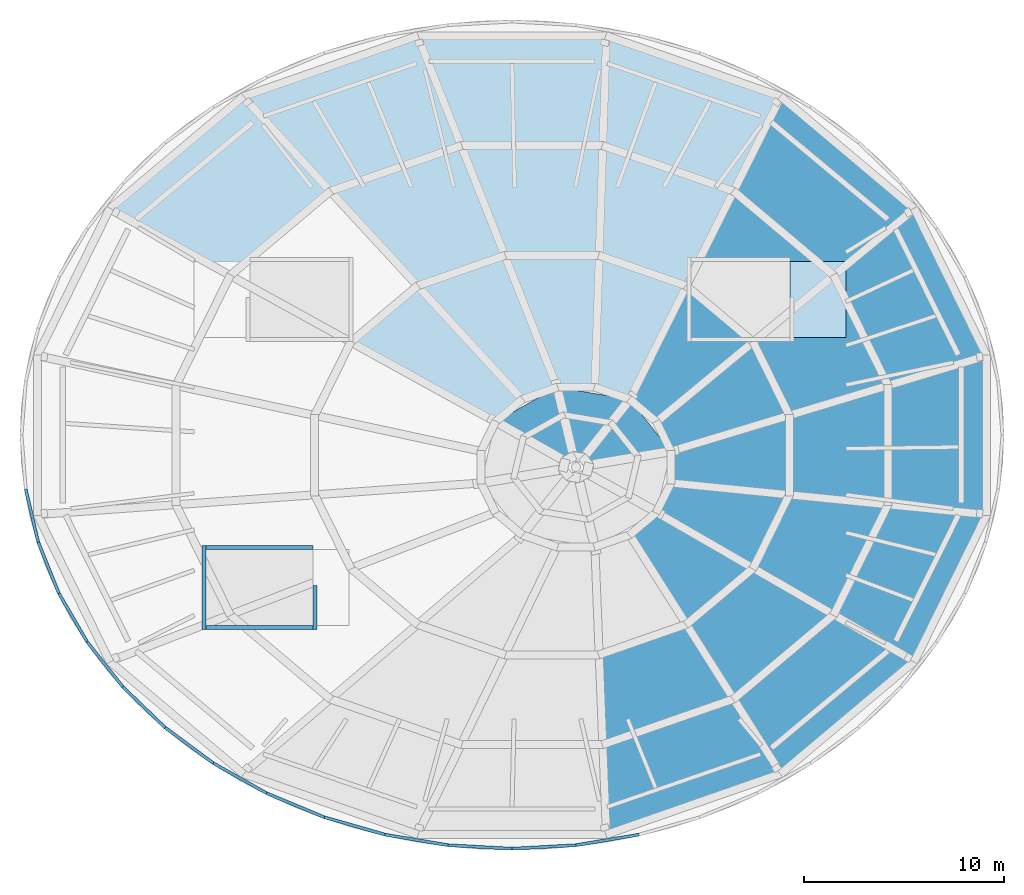
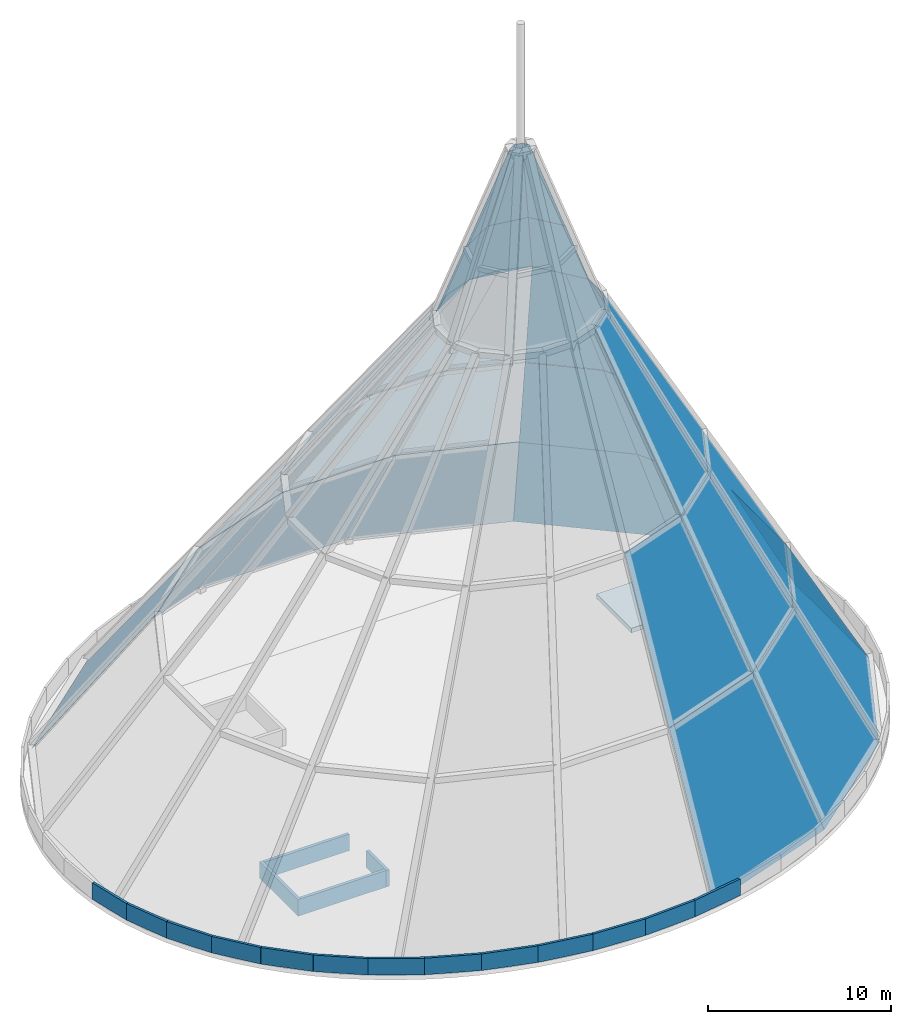
# One storey, part 5 of 7: 34 plates, 17 walls, 1 slab, 13 elements without a shape of their own.
"""IFC4 building model written with IfcOpenShell, lengths in metres."""

import ifcopenshell
import ifcopenshell.guid

model = None  # the IFC model being written
_history = None  # IfcOwnerHistory: only IFC2X3 demands one
_inside = {}  # id of a spatial element -> (the spatial element, [elements in it])
_under = {}  # id of a project, library or spatial element -> (it, [spatial elements below it])
_declared = {}  # id of a project -> (the project, [libraries it declares])
_typed = {}  # id of a type object -> (the type object, [elements of that type])
_made_of = {}  # id of a material, layer set ... -> (it, [elements and type objects made of it])


def new_model(schema):
    """Start an empty IFC model of exactly this schema.

    Asked for "IFC4X3", IfcOpenShell would pick the latest addendum, in which some entities
    have other attributes; the version numbers below select the first issue.
    IFC2X3 requires an IfcOwnerHistory on every rooted entity: one is made here for all.
    """
    global model, _history
    if schema == "IFC4X3":
        model = ifcopenshell.file(schema_version=(4, 3, 0, 0))
    else:
        model = ifcopenshell.file(schema=schema)
    _inside.clear()
    _under.clear()
    _declared.clear()
    _typed.clear()
    _made_of.clear()
    _history = None
    if model.schema == "IFC2X3":
        org = make("IfcOrganization", Name="unknown")
        user = make(
            "IfcPersonAndOrganization",
            ThePerson=make("IfcPerson", FamilyName="unknown"),
            TheOrganization=org,
        )
        app = make(
            "IfcApplication",
            ApplicationDeveloper=org,
            Version="unknown",
            ApplicationFullName="unknown",
            ApplicationIdentifier="unknown",
        )
        _history = make(
            "IfcOwnerHistory",
            OwningUser=user,
            OwningApplication=app,
            ChangeAction="ADDED",
            CreationDate=0,
        )
    return model


def make(cls, **values):
    """One entity of the class cls with the attributes given. An attribute that is None is left unset."""
    return model.create_entity(
        cls, **{name: value for name, value in values.items() if value is not None}
    )


def rooted(cls, **values):
    """An entity with a GlobalId (a new one), such as an element, a storey or a relation."""
    return make(cls, GlobalId=ifcopenshell.guid.new(), OwnerHistory=_history, **values)


def si_unit(unit_type, name, prefix=None):
    """IfcSIUnit, for example si_unit("LENGTHUNIT", "METRE", prefix="MILLI")."""
    return make("IfcSIUnit", UnitType=unit_type, Prefix=prefix, Name=name)


def assignment(units):
    """IfcUnitAssignment: the units of a project."""
    return None if units is None else make("IfcUnitAssignment", Units=units)


def point(xyz):
    """IfcCartesianPoint."""
    return None if xyz is None else make("IfcCartesianPoint", Coordinates=xyz)


def direction(xyz):
    """IfcDirection."""
    return None if xyz is None else make("IfcDirection", DirectionRatios=xyz)


def frame(location, z_axis=None, x_axis=None):
    """IfcAxis2Placement3D, a coordinate frame: its origin and axes. An axis left out is left unset."""
    return make(
        "IfcAxis2Placement3D",
        Location=point(location),
        Axis=direction(z_axis),
        RefDirection=direction(x_axis),
    )


def frame_2d(location, x_axis=None):
    """IfcAxis2Placement2D, a coordinate frame in the plane: its origin and x axis."""
    return make(
        "IfcAxis2Placement2D", Location=point(location), RefDirection=direction(x_axis)
    )


def origin():
    """The frame at (0, 0, 0) with its axes left unset."""
    return frame((0.0, 0.0, 0.0))


def place(relative_to, where):
    """IfcLocalPlacement: puts the frame where relative to a parent placement (None: the world)."""
    return make(
        "IfcLocalPlacement", PlacementRelTo=relative_to, RelativePlacement=where
    )


def context(
    kind, dimensions, precision=None, world=None, true_north=None, identifier=None
):
    """IfcGeometricRepresentationContext, for example the 3D "Model" context."""
    return make(
        "IfcGeometricRepresentationContext",
        ContextIdentifier=identifier,
        ContextType=kind,
        CoordinateSpaceDimension=dimensions,
        Precision=precision,
        WorldCoordinateSystem=world,
        TrueNorth=true_north,
    )


def subcontext(parent, identifier, kind, view, scale=None):
    """IfcGeometricRepresentationSubContext, for example "Body" below "Model"."""
    return make(
        "IfcGeometricRepresentationSubContext",
        ContextIdentifier=identifier,
        ContextType=kind,
        ParentContext=parent,
        TargetScale=scale,
        TargetView=view,
    )


def project(units=None, contexts=None):
    """IfcProject with its units and contexts."""
    return rooted(
        "IfcProject",
        Name="project",
        RepresentationContexts=contexts,
        UnitsInContext=assignment(units),
    )


def spatial(cls, under=None, at=None, **own):
    """A site, building, storey or space (cls), placed at a placement, below another one or the project."""
    s = rooted(cls, ObjectPlacement=at, **own)
    if under is not None:
        _under.setdefault(under.id(), (under, []))[1].append(s)
    return s


def polyline(points):
    """IfcPolyline through the points."""
    return make("IfcPolyline", Points=[point(p) for p in points])


def profile(cls, at=None, kind="AREA", **sizes):
    """A parametric profile (cls). Its sizes go by their IFC names, for example OverallWidth=200.0."""
    return make(cls, ProfileType=kind, Position=at, **sizes)


def rectangle(**sizes):
    """IfcRectangleProfileDef."""
    return profile("IfcRectangleProfileDef", **sizes)


def outline(outer, holes=None, kind="AREA"):
    """IfcArbitraryClosedProfileDef: a profile drawn as a closed curve; with holes, ...WithVoids."""
    if holes is None:
        return make("IfcArbitraryClosedProfileDef", ProfileType=kind, OuterCurve=outer)
    return make(
        "IfcArbitraryProfileDefWithVoids",
        ProfileType=kind,
        OuterCurve=outer,
        InnerCurves=holes,
    )


def extrude(swept, where, along, depth):
    """IfcExtrudedAreaSolid: the profile swept, set in the frame where, extruded along a direction by depth."""
    return make(
        "IfcExtrudedAreaSolid",
        SweptArea=swept,
        Position=where,
        ExtrudedDirection=direction(along),
        Depth=depth,
    )


def shape(context_of_items, identifier, shape_type, items):
    """IfcShapeRepresentation: the items that make up one representation, for example the "Body"."""
    return make(
        "IfcShapeRepresentation",
        ContextOfItems=context_of_items,
        RepresentationIdentifier=identifier,
        RepresentationType=shape_type,
        Items=items,
    )


def material(Name=None, Category=None):
    """IfcMaterial."""
    return make("IfcMaterial", Name=Name, Category=Category)


def layer(
    of_material, thickness, ventilated=None, Name=None, Category=None, Priority=None
):
    """IfcMaterialLayer: one layer of a wall or slab, of a material (None: an air gap)."""
    return make(
        "IfcMaterialLayer",
        Material=of_material,
        LayerThickness=thickness,
        IsVentilated=ventilated,
        Name=Name,
        Category=Category,
        Priority=Priority,
    )


def layer_set(layers, Name=None):
    """IfcMaterialLayerSet."""
    return make("IfcMaterialLayerSet", MaterialLayers=layers, LayerSetName=Name)


def made_of(thing, what):
    """Note that an element or type object is made of a material, layer set ...; save() writes the relation."""
    if what is not None:
        _made_of.setdefault(what.id(), (what, []))[1].append(thing)
    return thing


def type_object(cls, material=None, **own):
    """A type object (cls), such as IfcWallType, which elements share."""
    return made_of(rooted(cls, **own), material)


def element(
    cls,
    number,
    at=None,
    inside=None,
    cuts=None,
    type_object=None,
    material=None,
    context=None,
    identifier="Body",
    shape_type=None,
    held_by="IfcProductDefinitionShape",
    body=None,
    shapes=None,
    **own,
):
    """One element of the class cls, such as IfcWall. Its Tag is "e" and its number.

    at: its placement. inside: the storey or other place that contains it. cuts: it is an
    opening in that element (IfcRelVoidsElement). A single representation is given by context,
    identifier, shape_type and body (its items); several are given by shapes. held_by: the class
    of the entity that holds the representations. save() writes the other relations.
    """
    e = rooted(cls, Tag="e%d" % number, ObjectPlacement=at, **own)
    if body is not None:
        shapes = [shape(context, identifier, shape_type, body)]
    if shapes is not None:
        e.Representation = make(held_by, Representations=shapes)
    if inside is not None:
        _inside.setdefault(inside.id(), (inside, []))[1].append(e)
    if cuts is not None:
        rooted(
            "IfcRelVoidsElement", RelatingBuildingElement=cuts, RelatedOpeningElement=e
        )
    if type_object is not None:
        _typed.setdefault(type_object.id(), (type_object, []))[1].append(e)
    return made_of(e, material)


def aggregate(whole, parts):
    """IfcRelAggregates: a whole, such as a stair, and the parts it consists of."""
    return rooted("IfcRelAggregates", RelatingObject=whole, RelatedObjects=parts)


def save(model, path):
    """Write the relations noted so far, then the file.

    IfcRelAggregates (storeys below a building ...), IfcRelContainedInSpatialStructure (elements
    in a storey), IfcRelDefinesByType, IfcRelAssociatesMaterial and IfcRelDeclares: one each for
    every whole, place, type object, material and project.
    """
    for whole, parts in _under.values():
        aggregate(whole, parts)
    for where, things in _inside.values():
        rooted(
            "IfcRelContainedInSpatialStructure",
            RelatedElements=things,
            RelatingStructure=where,
        )
    for kind, things in _typed.values():
        rooted("IfcRelDefinesByType", RelatedObjects=things, RelatingType=kind)
    for what, things in _made_of.values():
        rooted("IfcRelAssociatesMaterial", RelatedObjects=things, RelatingMaterial=what)
    for by, libraries in _declared.values():
        rooted("IfcRelDeclares", RelatingContext=by, RelatedDefinitions=libraries)
    model.write(path)


model = new_model("IFC4")

# Units and contexts
model_context = context("Model", 3, precision=1e-05, world=origin(), true_north=direction((0.0, 1.0)))
body_context = subcontext(model_context, "Body", "Model", "MODEL_VIEW")
ifc_project = project(units=[si_unit("LENGTHUNIT", "METRE"), si_unit("AREAUNIT", "SQUARE_METRE"), si_unit("VOLUMEUNIT", "CUBIC_METRE"), si_unit("PLANEANGLEUNIT", "RADIAN"), si_unit("MASSUNIT", "GRAM", prefix="KILO")], contexts=[model_context])

# Site, building, storey
site_placement = place(None, origin())
site = spatial("IfcSite", under=ifc_project, at=site_placement, CompositionType="ELEMENT")
building_placement = place(site_placement, origin())
building = spatial("IfcBuilding", under=site, at=building_placement, Name="Marenthal Gate Tower", CompositionType="ELEMENT")
storey_placement = place(building_placement, frame((0.0, 0.0, 423.550048828125)))
storey = spatial("IfcBuildingStorey", under=building, at=storey_placement, Name="RF", CompositionType="ELEMENT", Elevation=423.550048828125)

# Slab
ifc_material_1 = material(Name="Concrete 50 MPa", Category="concrete")
ifc_layer_1 = layer(ifc_material_1, 0.300048828125)
ifc_layer_set_1 = layer_set([ifc_layer_1], Name="Core roof slab 300")
slab_type = type_object("IfcSlabType", Name="Core roof slab 300", PredefinedType="ROOF", material=ifc_layer_set_1)
slab_placement = place(storey_placement, frame((0.0, 0.0, -0.300048828125)))
element("IfcSlab", 1, at=slab_placement, inside=storey, type_object=slab_type, Name="Core roof RF", PredefinedType="ROOF", context=body_context, shape_type="SweptSolid", body=[
    extrude(outline(polyline([(16.300048828125, 5.77490234375), (13.5, 5.77490234375), (13.5, 9.574951171875), (16.300048828125, 9.574951171875), (16.300048828125, 5.77490234375)])), origin(), (0.0, 0.0, 1.0), 0.300048828125),
])

# Curtain wall, plates
ifc_material_2 = material(Name="Aluminium and glass", Category="aluminium")
curtain_wall_type = type_object("IfcCurtainWallType", Name="Curtain wall crown facet", PredefinedType="NOTDEFINED", material=ifc_material_2)
curtain_wall_1_placement = place(storey_placement, origin())
curtain_wall_1 = element("IfcCurtainWall", 2, at=curtain_wall_1_placement, inside=storey, type_object=curtain_wall_type, Name="Crown facet 1", PredefinedType="NOTDEFINED")
ifc_material_3 = material(Name="Glass, laminated insulating unit", Category="glass")
ifc_layer_2 = layer(ifc_material_3, 0.028076171875)
ifc_layer_set_2 = layer_set([ifc_layer_2], Name="Glass facet panel 28")
plate_type = type_object("IfcPlateType", Name="Glass facet panel 28", PredefinedType="CURTAIN_PANEL", material=ifc_layer_set_2)
plate_1_placement = place(storey_placement, frame((23.349609375, 4.873779296875, 0.0), z_axis=(0.78091832191, 0.384561210451, 0.492218701312), x_axis=(-0.441782847296, 0.897122018356, -4.082621e-06)))
plate_1 = element("IfcPlate", 3, at=plate_1_placement, type_object=plate_type, Name="Crown glass panel 1.1", PredefinedType="CURTAIN_PANEL", context=body_context, shape_type="SweptSolid", body=[
    extrude(outline(polyline([(0.0, 0.0), (8.184508952758184, 0.0), (6.979769713529006, 10.339256134697063), (0.8413888263727068, 10.339188958537347), (0.0, 0.0)])), origin(), (0.0, 0.0, -1.0), 0.028076171875),
])
plate_2_placement = place(storey_placement, frame((18.38720703125, 3.3681640625, 8.984130859375), z_axis=(0.78092526566, 0.384542440759, 0.492222348852), x_axis=(-0.441764378922, 0.897131112779, -4.6361e-08)))
plate_2 = element("IfcPlate", 4, at=plate_2_placement, type_object=plate_type, Name="Crown glass panel 1.2", PredefinedType="CURTAIN_PANEL", context=body_context, shape_type="SweptSolid", body=[
    extrude(outline(polyline([(0.0, 0.0), (6.138273031378023, -2.220446049250313e-16), (4.933465351026674, 10.339248159870419), (0.8411013617970815, 10.339247614991404), (0.0, 0.0)])), origin(), (0.0, 0.0, -1.0), 0.028076171875),
])
plate_3_placement = place(storey_placement, frame((13.474853515625, 1.886962890625, 18.0), z_axis=(0.780917875643, 0.384560878624, 0.492219668576), x_axis=(-0.441785633161, 0.897120646474, 1.6133e-06)))
plate_3 = element("IfcPlate", 5, at=plate_3_placement, type_object=plate_type, Name="Crown glass panel 1.3", PredefinedType="CURTAIN_PANEL", context=body_context, shape_type="SweptSolid", body=[
    extrude(outline(polyline([(0.0, 0.0), (4.092144964498725, 0.0), (2.6465605911346537, 12.407127063055857), (1.0096588006160983, 12.407137681065514), (0.0, 0.0)])), origin(), (0.0, 0.0, -1.0), 0.028076171875),
])
aggregate(curtain_wall_1, [plate_1, plate_2, plate_3])

curtain_wall_2_placement = place(storey_placement, origin())
curtain_wall_2 = element("IfcCurtainWall", 6, at=curtain_wall_2_placement, inside=storey, type_object=curtain_wall_type, Name="Crown facet 2", PredefinedType="NOTDEFINED")
plate_4_placement = place(storey_placement, frame((19.73388671875, 12.21630859375, 0.0), z_axis=(0.558880465165, 0.664391125681, 0.496222790462), x_axis=(-0.765256189398, 0.643725845826, 2.006685e-06)))
plate_4 = element("IfcPlate", 7, at=plate_4_placement, type_object=plate_type, Name="Crown glass panel 2.1", PredefinedType="CURTAIN_PANEL", context=body_context, shape_type="SweptSolid", body=[
    extrude(outline(polyline([(0.0, 0.0), (8.730263883773995, 0.0), (7.4911283259670505, 10.366314795630224), (0.9436098256374091, 10.36635010761897), (0.0, 0.0)])), origin(), (0.0, 0.0, -1.0), 0.028076171875),
])
plate_5_placement = place(storey_placement, frame((15.6826171875, 8.865966796875, 8.984130859375), z_axis=(0.558873390874, 0.664397792508, 0.496221831728), x_axis=(-0.765263695262, 0.643716922805, 2.849073e-06)))
plate_5 = element("IfcPlate", 8, at=plate_5_placement, type_object=plate_type, Name="Crown glass panel 2.2", PredefinedType="CURTAIN_PANEL", context=body_context, shape_type="SweptSolid", body=[
    extrude(outline(polyline([(0.0, 0.0), (6.547705331266295, 0.0), (5.308981323744895, 10.366308145349338), (0.943677387280511, 10.366343957506903), (0.0, 0.0)])), origin(), (0.0, 0.0, -1.0), 0.028076171875),
])
plate_6_placement = place(storey_placement, frame((11.6669921875, 5.55810546875, 18.0), z_axis=(0.558899951735, 0.664374368591, 0.496223278686), x_axis=(-0.765235580648, 0.643750344548, -2.215937e-06)))
plate_6 = element("IfcPlate", 9, at=plate_6_placement, type_object=plate_type, Name="Crown glass panel 2.3", PredefinedType="CURTAIN_PANEL", context=body_context, shape_type="SweptSolid", body=[
    extrude(outline(polyline([(0.0, 0.0), (4.365117109416769, 2.220446049250313e-16), (2.878166843582894, 12.439666117411669), (1.1320826347975996, 12.43965051949278), (0.0, 0.0)])), origin(), (0.0, 0.0, -1.0), 0.028076171875),
])
aggregate(curtain_wall_2, [plate_4, plate_5, plate_6])

curtain_wall_3_placement = place(storey_placement, origin())
curtain_wall_3 = element("IfcCurtainWall", 10, at=curtain_wall_3_placement, inside=storey, type_object=curtain_wall_type, Name="Crown facet 3", PredefinedType="NOTDEFINED")
plate_7_placement = place(storey_placement, frame((13.052978515625, 17.836181640625, 0.0), z_axis=(0.284248065273, 0.81575622402, 0.50373090074), x_axis=(-0.944314703713, 0.329043675447, 3.99656e-07)))
plate_7 = element("IfcPlate", 11, at=plate_7_placement, type_object=plate_type, Name="Crown glass panel 3.1", PredefinedType="CURTAIN_PANEL", context=body_context, shape_type="SweptSolid", body=[
    extrude(outline(polyline([(0.0, 0.0), (9.243483816055178, 0.0), (7.6066596771756405, 10.418343767735143), (0.6737184666925168, 10.418351251592247), (0.0, 0.0)])), origin(), (0.0, 0.0, -1.0), 0.028076171875),
])
plate_8_placement = place(storey_placement, frame((10.6806640625, 13.075927734375, 8.98388671875), z_axis=(0.284252258381, 0.8157581668, 0.503725388386), x_axis=(-0.9443126135, 0.329049674015, -3.902632e-06)))
plate_8 = element("IfcPlate", 12, at=plate_8_placement, type_object=plate_type, Name="Crown glass panel 3.2", PredefinedType="CURTAIN_PANEL", context=body_context, shape_type="SweptSolid", body=[
    extrude(outline(polyline([(0.0, 0.0), (6.9327106652835395, 0.0), (5.295814468723297, 10.418332446374512), (0.6739572883080756, 10.418280246912671), (0.0, 0.0)])), origin(), (0.0, 0.0, -1.0), 0.028076171875),
])
plate_9_placement = place(storey_placement, frame((8.32666015625, 8.3681640625, 18.0), z_axis=(0.2842194425, 0.815761950333, 0.50373777791), x_axis=(-0.944323647387, 0.329018006921, -1.038322e-05)))
plate_9 = element("IfcPlate", 13, at=plate_9_placement, type_object=plate_type, Name="Crown glass panel 3.3", PredefinedType="CURTAIN_PANEL", context=body_context, shape_type="SweptSolid", body=[
    extrude(outline(polyline([(0.0, 0.0), (4.621857180040246, -2.220446049250313e-16), (2.657550395555715, 12.502163248573241), (0.8088096099836289, 12.50208547450567), (0.0, 0.0)])), origin(), (0.0, 0.0, -1.0), 0.028076171875),
])
aggregate(curtain_wall_3, [plate_7, plate_8, plate_9])

curtain_wall_4_placement = place(storey_placement, origin())
curtain_wall_4 = element("IfcCurtainWall", 14, at=curtain_wall_4_placement, inside=storey, type_object=curtain_wall_type, Name="Crown facet 4", PredefinedType="NOTDEFINED")
plate_10_placement = place(storey_placement, frame((4.32421875, 20.877685546875, 0.0), z_axis=(0.0, 0.853518688404, 0.521062230972), x_axis=(-1.0, 0.0, 0.0)))
plate_10 = element("IfcPlate", 15, at=plate_10_placement, type_object=plate_type, Name="Crown glass panel 4.1", PredefinedType="CURTAIN_PANEL", context=body_context, shape_type="SweptSolid", body=[
    extrude(outline(polyline([(0.0, 0.0), (9.4482421875, 0.0), (7.267333984375, 10.544584579429012), (0.18115234375, 10.544584579429012), (0.0, 0.0)])), origin(), (0.0, 0.0, -1.0), 0.028076171875),
])
plate_11_placement = place(storey_placement, frame((4.14306640625, 15.35595703125, 8.9833984375), z_axis=(0.0, 0.853518688404, 0.521062230972), x_axis=(-1.0, 0.0, 0.0)))
plate_11 = element("IfcPlate", 16, at=plate_11_placement, type_object=plate_type, Name="Crown glass panel 4.2", PredefinedType="CURTAIN_PANEL", context=body_context, shape_type="SweptSolid", body=[
    extrude(outline(polyline([(0.0, 0.0), (7.086181640625, 0.0), (4.905029296875, 10.544584579429012), (0.180908203125, 10.544584579429012), (0.0, 0.0)])), origin(), (0.0, 0.0, -1.0), 0.028076171875),
])
plate_12_placement = place(storey_placement, frame((3.962158203125, 9.888916015625, 18.0), z_axis=(0.0, 0.853511155237, 0.52107457037), x_axis=(-1.0, 0.0, 0.0)))
plate_12 = element("IfcPlate", 17, at=plate_12_placement, type_object=plate_type, Name="Crown glass panel 4.3", PredefinedType="CURTAIN_PANEL", context=body_context, shape_type="SweptSolid", body=[
    extrude(outline(polyline([(0.0, 0.0), (4.72412109375, 0.0), (2.10693359375, 12.65367038481312), (0.21728515625, 12.65367038481312), (0.0, 0.0)])), origin(), (0.0, 0.0, -1.0), 0.028076171875),
])
aggregate(curtain_wall_4, [plate_10, plate_11, plate_12])

curtain_wall_5_placement = place(storey_placement, origin())
curtain_wall_5 = element("IfcCurtainWall", 18, at=curtain_wall_5_placement, inside=storey, type_object=curtain_wall_type, Name="Crown facet 5", PredefinedType="NOTDEFINED")
plate_13_placement = place(storey_placement, frame((-5.1240234375, 20.877685546875, 0.0), z_axis=(-0.275098126336, 0.789497049203, 0.548648731145), x_axis=(-0.944315578758, -0.329041164134, -4.407622e-06)))
plate_13 = element("IfcPlate", 19, at=plate_13_placement, type_object=plate_type, Name="Crown glass panel 5.1", PredefinedType="CURTAIN_PANEL", context=body_context, shape_type="SweptSolid", body=[
    extrude(outline(polyline([(0.0, 0.0), (9.243714361745887, 0.0), (6.681084163397677, 10.764903377238806), (-0.2516265011716721, 10.764818096074988), (0.0, 0.0)])), origin(), (0.0, 0.0, -1.0), 0.028076171875),
])
plate_14_placement = place(storey_placement, frame((-2.934326171875, 15.35791015625, 8.982421875), z_axis=(-0.27508516277, 0.789500776683, 0.548649867257), x_axis=(-0.944320356779, -0.329027451391, -1.98784e-06)))
plate_14 = element("IfcPlate", 20, at=plate_14_placement, type_object=plate_type, Name="Crown glass panel 5.2", PredefinedType="CURTAIN_PANEL", context=body_context, shape_type="SweptSolid", body=[
    extrude(outline(polyline([(0.0, 0.0), (6.932630333343414, 2.220446049250313e-16), (4.369936147268028, 10.76488814471905), (-0.2519210336041576, 10.76486067218592), (0.0, 0.0)])), origin(), (0.0, 0.0, -1.0), 0.028076171875),
])
plate_15_placement = place(storey_placement, frame((-0.761962890625, 9.888916015625, 18.0), z_axis=(-0.275071659121, 0.78950613354, 0.548648929144), x_axis=(-0.944323276328, -0.329019071886, 1.0944959e-05)))
plate_15 = element("IfcPlate", 21, at=plate_15_placement, type_object=plate_type, Name="Crown glass panel 5.3", PredefinedType="CURTAIN_PANEL", context=body_context, shape_type="SweptSolid", body=[
    extrude(outline(polyline([(0.0, 0.0), (4.621857180102431, 0.0), (1.5467770950760127, 12.917881948438373), (-0.3019636903468286, 12.917966656516185), (0.0, 0.0)])), origin(), (0.0, 0.0, -1.0), 0.028076171875),
])
aggregate(curtain_wall_5, [plate_13, plate_14, plate_15])

curtain_wall_6_placement = place(storey_placement, origin())
curtain_wall_6 = element("IfcCurtainWall", 22, at=curtain_wall_6_placement, inside=storey, type_object=curtain_wall_type, Name="Crown facet 6", PredefinedType="NOTDEFINED")
plate_16_placement = place(storey_placement, frame((-13.85302734375, 17.836181640625, 0.0), z_axis=(-0.523734186424, 0.622622606401, 0.581415163174), x_axis=(-0.765260847999, -0.643720307675, 2.662691e-06)))
plate_16 = element("IfcPlate", 23, at=plate_16_placement, type_object=plate_type, Name="Crown glass panel 6.1", PredefinedType="CURTAIN_PANEL", context=body_context, shape_type="SweptSolid", body=[
    extrude(outline(polyline([(0.0, 0.0), (8.730263883753828, -8.881784197001252e-16), (6.256137159219246, 11.061830773875677), (-0.29156817184199496, 11.061880774075375), (0.0, 0.0)])), origin(), (0.0, 0.0, -1.0), 0.028076171875),
])
plate_17_placement = place(storey_placement, frame((-5.12646484375, 8.3681640625, 18.0), z_axis=(-0.523744127508, 0.622616513996, 0.581412732403), x_axis=(-0.765254070092, -0.64372836523, -2.432939e-06)))
plate_17 = element("IfcPlate", 24, at=plate_17_placement, type_object=plate_type, Name="Crown glass panel 6.3", PredefinedType="CURTAIN_PANEL", context=body_context, shape_type="SweptSolid", body=[
    extrude(outline(polyline([(0.0, 0.0), (4.365303936734943, 2.220446049250313e-16), (1.396271932753947, 13.27425734700315), (-0.3498122760186378, 13.27423907208357), (0.0, 0.0)])), origin(), (0.0, 0.0, -1.0), 0.028076171875),
])
aggregate(curtain_wall_6, [plate_16, plate_17])

curtain_wall_7_placement = place(storey_placement, origin())
curtain_wall_7 = element("IfcCurtainWall", 25, at=curtain_wall_7_placement, inside=storey, type_object=curtain_wall_type, Name="Crown facet 13", PredefinedType="NOTDEFINED")
plate_18_placement = place(storey_placement, frame((4.32421875, -19.07763671875, 0.0), z_axis=(0.296839014931, -0.851929742912, 0.431395772298), x_axis=(0.944318499999, 0.329032780333, 5.18929e-06)))
plate_18 = element("IfcPlate", 26, at=plate_18_placement, type_object=plate_type, Name="Crown glass panel 13.1", PredefinedType="CURTAIN_PANEL", context=body_context, shape_type="SweptSolid", body=[
    extrude(outline(polyline([(0.0, 0.0), (9.24348381538933, 0.0), (8.240641988953524, 9.975979283635695), (1.3077811094098584, 9.976072330864266), (0.0, 0.0)])), origin(), (0.0, 0.0, -1.0), 0.028076171875),
])
plate_19_placement = place(storey_placement, frame((4.133544921875, -14.555908203125, 8.986083984375), z_axis=(0.296830013104, -0.851928061627, 0.431405286399), x_axis=(0.944322764127, 0.329020542122, -3.490371e-06)))
plate_19 = element("IfcPlate", 27, at=plate_19_placement, type_object=plate_type, Name="Crown glass panel 13.2", PredefinedType="CURTAIN_PANEL", context=body_context, shape_type="SweptSolid", body=[
    extrude(outline(polyline([(0.0, 0.0), (6.932860880832804, -1.1102230246251565e-16), (5.9297349447899785, 9.976099934083969), (1.3078777643244575, 9.976055229893195), (0.0, 0.0)])), origin(), (0.0, 0.0, -1.0), 0.028076171875),
])
aggregate(curtain_wall_7, [plate_18, plate_19])

curtain_wall_8_placement = place(storey_placement, origin())
curtain_wall_8 = element("IfcCurtainWall", 28, at=curtain_wall_8_placement, inside=storey, type_object=curtain_wall_type, Name="Crown facet 14", PredefinedType="NOTDEFINED")
plate_20_placement = place(storey_placement, frame((13.052978515625, -16.0361328125, 0.0), z_axis=(0.57884623506, -0.688143302333, 0.437488093108), x_axis=(0.765265027017, 0.643715339568, -5.440558e-06)))
plate_20 = element("IfcPlate", 29, at=plate_20_placement, type_object=plate_type, Name="Crown glass panel 14.1", PredefinedType="CURTAIN_PANEL", context=body_context, shape_type="SweptSolid", body=[
    extrude(outline(polyline([(0.0, 0.0), (8.730106726195089, 0.0), (7.142680033666853, 10.008670611878477), (0.595161534699363, 10.008578177971565), (0.0, 0.0)])), origin(), (0.0, 0.0, -1.0), 0.028076171875),
])
plate_21_placement = place(storey_placement, frame((10.67138671875, -12.280029296875, 8.98583984375), z_axis=(0.578864415087, -0.688123212554, 0.437495638024), x_axis=(0.76524551207, 0.643738538722, -4.490175e-06)))
plate_21 = element("IfcPlate", 30, at=plate_21_placement, type_object=plate_type, Name="Crown glass panel 14.2", PredefinedType="CURTAIN_PANEL", context=body_context, shape_type="SweptSolid", body=[
    extrude(outline(polyline([(0.0, 0.0), (6.547518500175199, 2.220446049250313e-16), (4.960233106789118, 10.008693021990691), (0.5951159981861978, 10.008638530751636), (0.0, 0.0)])), origin(), (0.0, 0.0, -1.0), 0.028076171875),
])
plate_22_placement = place(storey_placement, frame((8.32666015625, -8.568115234375, 18.0), z_axis=(0.578829666191, -0.688150586885, 0.437498556921), x_axis=(0.765272862744, 0.643706024099, 9.240209e-06)))
plate_22 = element("IfcPlate", 31, at=plate_22_placement, type_object=plate_type, Name="Crown glass panel 14.3", PredefinedType="CURTAIN_PANEL", context=body_context, shape_type="SweptSolid", body=[
    extrude(outline(polyline([(0.0, 0.0), (4.364959946149087, 1.1102230246251565e-16), (2.460179872685687, 12.010449892882871), (0.7142528202616758, 12.010512687223159), (0.0, 0.0)])), origin(), (0.0, 0.0, -1.0), 0.028076171875),
])
aggregate(curtain_wall_8, [plate_20, plate_21, plate_22])

curtain_wall_9_placement = place(storey_placement, origin())
curtain_wall_9 = element("IfcCurtainWall", 32, at=curtain_wall_9_placement, inside=storey, type_object=curtain_wall_type, Name="Crown facet 15", PredefinedType="NOTDEFINED")
plate_23_placement = place(storey_placement, frame((19.73388671875, -10.41650390625, 0.0), z_axis=(0.797125879272, -0.392527663994, 0.458816265617), x_axis=(0.44176996334, 0.897128362878, 3.116976e-06)))
plate_23 = element("IfcPlate", 33, at=plate_23_placement, type_object=plate_type, Name="Crown glass panel 15.1", PredefinedType="CURTAIN_PANEL", context=body_context, shape_type="SweptSolid", body=[
    extrude(outline(polyline([(0.0, 0.0), (8.18472797827047, 2.220446049250313e-16), (6.446275184557782, 10.12905370490179), (0.307675273857452, 10.129103951277367), (0.0, 0.0)])), origin(), (0.0, 0.0, -1.0), 0.028076171875),
])
plate_24_placement = place(storey_placement, frame((15.675048828125, -8.07470703125, 8.9853515625), z_axis=(0.79712679529, -0.392520381827, 0.458820904145), x_axis=(0.441764382006, 0.89713111126, 4.4111e-08)))
plate_24 = element("IfcPlate", 34, at=plate_24_placement, type_object=plate_type, Name="Crown glass panel 15.2", PredefinedType="CURTAIN_PANEL", context=body_context, shape_type="SweptSolid", body=[
    extrude(outline(polyline([(0.0, 0.0), (6.138273031378022, -2.220446049250313e-16), (4.400040520583529, 10.129103405328594), (0.30767653135393236, 10.129103913232965), (0.0, 0.0)])), origin(), (0.0, 0.0, -1.0), 0.028076171875),
])
plate_25_placement = place(storey_placement, frame((11.6669921875, -5.75830078125, 18.0), z_axis=(0.797127726497, -0.392524729995, 0.458815566422), x_axis=(0.441767214674, 0.897129716394, 1.534875e-06)))
plate_25 = element("IfcPlate", 35, at=plate_25_placement, type_object=plate_type, Name="Crown glass panel 15.3", PredefinedType="CURTAIN_PANEL", context=body_context, shape_type="SweptSolid", body=[
    extrude(outline(polyline([(0.0, 0.0), (4.092363989206771, 0.0), (2.006133690085327, 12.154938131390411), (0.36923189956455227, 12.15494802828745), (0.0, 0.0)])), origin(), (0.0, 0.0, -1.0), 0.028076171875),
])
aggregate(curtain_wall_9, [plate_23, plate_24, plate_25])

curtain_wall_10_placement = place(storey_placement, origin())
curtain_wall_10 = element("IfcCurtainWall", 36, at=curtain_wall_10_placement, inside=storey, type_object=curtain_wall_type, Name="Crown facet 16", PredefinedType="NOTDEFINED")
plate_26_placement = place(storey_placement, frame((23.349609375, -3.07373046875, 0.0), z_axis=(0.87673962239, 0.0, 0.48096531531), x_axis=(0.0, 1.0, 0.0)))
plate_26 = element("IfcPlate", 37, at=plate_26_placement, type_object=plate_type, Name="Crown glass panel 16.1", PredefinedType="CURTAIN_PANEL", context=body_context, shape_type="SweptSolid", body=[
    extrude(outline(polyline([(0.0, 0.0), (7.947509765625, 0.0), (6.4541015625, 10.265305422681429), (0.493408203125, 10.265305422681429), (0.0, 0.0)])), origin(), (0.0, 0.0, -1.0), 0.028076171875),
])
plate_27_placement = place(storey_placement, frame((18.38427734375, -2.580322265625, 8.984619140625), z_axis=(0.876729593431, 0.0, 0.480983596396), x_axis=(0.0, 1.0, 0.0)))
plate_27 = element("IfcPlate", 38, at=plate_27_placement, type_object=plate_type, Name="Crown glass panel 16.2", PredefinedType="CURTAIN_PANEL", context=body_context, shape_type="SweptSolid", body=[
    extrude(outline(polyline([(0.0, 0.0), (5.960693359375, 0.0), (4.46728515625, 10.265422848085704), (0.493408203125, 10.265422848085704), (0.0, 0.0)])), origin(), (0.0, 0.0, -1.0), 0.028076171875),
])
plate_28_placement = place(storey_placement, frame((13.474853515625, -2.0869140625, 18.0), z_axis=(0.876737196383, 0.0, 0.480969737591), x_axis=(0.0, 1.0, 0.0)))
plate_28 = element("IfcPlate", 39, at=plate_28_placement, type_object=plate_type, Name="Crown glass panel 16.3", PredefinedType="CURTAIN_PANEL", context=body_context, shape_type="SweptSolid", body=[
    extrude(outline(polyline([(0.0, 0.0), (3.973876953125, 0.0), (2.181640625, 12.318456286195365), (0.592041015625, 12.318456286195365), (0.0, 0.0)])), origin(), (0.0, 0.0, -1.0), 0.028076171875),
])
aggregate(curtain_wall_10, [plate_26, plate_27, plate_28])

curtain_wall_11_placement = place(storey_placement, origin())
curtain_wall_11 = element("IfcCurtainWall", 40, at=curtain_wall_11_placement, inside=storey, type_object=curtain_wall_type, Name="Crown pinnacle facet 1", PredefinedType="NOTDEFINED")
plate_29_placement = place(storey_placement, frame((7.550048828125, 0.0947265625, 28.800048828125), z_axis=(0.742026474208, 0.589463836939, 0.319263365446), x_axis=(-0.622013177194, 0.783006773435, -1.2316581e-05)))
plate_29 = element("IfcPlate", 41, at=plate_29_placement, type_object=plate_type, Name="Crown pinnacle glass panel 1.1", PredefinedType="CURTAIN_PANEL", context=body_context, shape_type="SweptSolid", body=[
    extrude(outline(polyline([(0.0, 0.0), (3.3108960148289226, 0.0), (2.97225451153949, 4.566922663673043), (0.8070089711798726, 4.566851491615166), (0.0, 0.0)])), origin(), (0.0, 0.0, -1.0), 0.028076171875),
])
plate_30_placement = place(storey_placement, frame((5.882568359375, -0.19921875, 33.11767578125), z_axis=(0.742094226508, 0.589388276818, 0.319245388587), x_axis=(-0.621933575094, 0.783070002082, 3.245758e-06)))
plate_30 = element("IfcPlate", 42, at=plate_30_placement, type_object=plate_type, Name="Crown pinnacle glass panel 1.2", PredefinedType="CURTAIN_PANEL", context=body_context, shape_type="SweptSolid", body=[
    extrude(outline(polyline([(0.0, 0.0), (2.1652848546572345, -5.551115123125783e-17), (1.6571450286053386, 6.850405408389586), (1.210392166925633, 6.850414354566383), (0.0, 0.0)])), origin(), (0.0, 0.0, -1.0), 0.028076171875),
])
aggregate(curtain_wall_11, [plate_29, plate_30])

curtain_wall_12_placement = place(storey_placement, origin())
curtain_wall_12 = element("IfcCurtainWall", 43, at=curtain_wall_12_placement, inside=storey, type_object=curtain_wall_type, Name="Crown pinnacle facet 2", PredefinedType="NOTDEFINED")
plate_31_placement = place(storey_placement, frame((5.49072265625, 2.687255859375, 28.800048828125), z_axis=(0.157955989924, 0.944017975208, 0.28962038556), x_axis=(-0.98628928734, 0.165025578493, 1.1008434e-05)))
plate_31 = element("IfcPlate", 44, at=plate_31_placement, type_object=plate_type, Name="Crown pinnacle glass panel 2.1", PredefinedType="CURTAIN_PANEL", context=body_context, shape_type="SweptSolid", body=[
    extrude(outline(polyline([(0.0, 0.0), (3.686013792433512, 2.7755575615628914e-17), (3.135520375765562, 4.5216364710775325), (0.7250035854673206, 4.521706589493091), (0.0, 0.0)])), origin(), (0.0, 0.0, -1.0), 0.028076171875),
])
plate_32_placement = place(storey_placement, frame((4.5546875, 1.485107421875, 33.11865234375), z_axis=(0.15788741209, 0.944030129591, 0.2896181616), x_axis=(-0.986300509243, 0.16495849613, -4.680408e-06)))
plate_32 = element("IfcPlate", 45, at=plate_32_placement, type_object=plate_type, Name="Crown pinnacle glass panel 2.2", PredefinedType="CURTAIN_PANEL", context=body_context, shape_type="SweptSolid", body=[
    extrude(outline(polyline([(0.0, 0.0), (2.4107172972928415, 0.0), (1.5848482431085713, 6.7826393178812), (1.087316485716549, 6.782625096595654), (0.0, 0.0)])), origin(), (0.0, 0.0, -1.0), 0.028076171875),
])
aggregate(curtain_wall_12, [plate_31, plate_32])

curtain_wall_13_placement = place(storey_placement, origin())
curtain_wall_13 = element("IfcCurtainWall", 46, at=curtain_wall_13_placement, inside=storey, type_object=curtain_wall_type, Name="Crown pinnacle facet 3", PredefinedType="NOTDEFINED")
plate_33_placement = place(storey_placement, frame((1.855224609375, 3.29541015625, 28.800048828125), z_axis=(-0.467248561607, 0.831371961343, 0.300831254308), x_axis=(-0.871753757164, -0.489944269147, 7.94064e-07)))
plate_33 = element("IfcPlate", 47, at=plate_33_placement, type_object=plate_type, Name="Crown pinnacle glass panel 3.1", PredefinedType="CURTAIN_PANEL", context=body_context, shape_type="SweptSolid", body=[
    extrude(outline(polyline([(0.0, 0.0), (3.5354428759851273, 0.0), (2.704428875835468, 4.538095141759296), (0.3922852166588895, 4.538100010654948), (0.0, 0.0)])), origin(), (0.0, 0.0, -1.0), 0.028076171875),
])
plate_34_placement = place(storey_placement, frame((2.197021484375, 1.886474609375, 33.118408203125), z_axis=(-0.467259622046, 0.831351524754, 0.300870550062), x_axis=(-0.871744883877, -0.489960056927, -7.127866e-06)))
plate_34 = element("IfcPlate", 48, at=plate_34_placement, type_object=plate_type, Name="Crown pinnacle glass panel 3.2", PredefinedType="CURTAIN_PANEL", context=body_context, shape_type="SweptSolid", body=[
    extrude(outline(polyline([(0.0, 0.0), (2.312143658551687, 5.551115123125783e-17), (1.0656813309092863, 6.807370541435968), (0.5884266881695293, 6.8073496929637995), (0.0, 0.0)])), origin(), (0.0, 0.0, -1.0), 0.028076171875),
])
aggregate(curtain_wall_13, [plate_33, plate_34])

# Walls
ifc_material_4 = material(Name="Concrete 40 MPa", Category="concrete")
ifc_layer_3 = layer(ifc_material_4, 0.14990234375)
ifc_layer_set_3 = layer_set([ifc_layer_3], Name="Roof parapet 150")
wall_type_1 = type_object("IfcWallType", Name="Roof parapet 150", PredefinedType="PARAPET", material=ifc_layer_set_3)
wall_1_placement = place(storey_placement, frame((-24.730224609375, -1.79931640625, 0.0), z_axis=(0.0, 0.0, 1.0), x_axis=(0.229448639442, -0.97332077028, 0.0)))
element("IfcWall", 49, at=wall_1_placement, inside=storey, type_object=wall_type_1, Name="Roof parapet 26", PredefinedType="PARAPET", context=body_context, shape_type="SweptSolid", body=[
    extrude(rectangle(XDim=2.72607421875, YDim=0.14990234375, at=frame_2d((1.363037109375, 0.0))), origin(), (0.0, 0.0, 1.0), 1.099853515625),
])
wall_2_placement = place(storey_placement, frame((-24.104736328125, -4.45263671875, 0.0), z_axis=(0.0, 0.0, 1.0), x_axis=(0.373218892384, -0.927743314914, 0.0)))
element("IfcWall", 50, at=wall_2_placement, inside=storey, type_object=wall_type_1, Name="Roof parapet 27", PredefinedType="PARAPET", context=body_context, shape_type="SweptSolid", body=[
    extrude(rectangle(XDim=2.76171875, YDim=0.14990234375, at=frame_2d((1.380859375, 0.0))), origin(), (0.0, 0.0, 1.0), 1.099853515625),
])
wall_3_placement = place(storey_placement, frame((-23.073974609375, -7.014892578125, 0.0), z_axis=(0.0, 0.0, 1.0), x_axis=(0.504615935568, -0.863343939326, 0.0)))
element("IfcWall", 51, at=wall_3_placement, inside=storey, type_object=wall_type_1, Name="Roof parapet 28", PredefinedType="PARAPET", context=body_context, shape_type="SweptSolid", body=[
    extrude(rectangle(XDim=2.8115234375, YDim=0.14990234375, at=frame_2d((1.40576171875, 0.0))), origin(), (0.0, 0.0, 1.0), 1.099853515625),
])
wall_4_placement = place(storey_placement, frame((-21.6552734375, -9.442138671875, 0.0), z_axis=(0.0, 0.0, 1.0), x_axis=(0.620840152406, -0.783937181897, 0.0)))
element("IfcWall", 52, at=wall_4_placement, inside=storey, type_object=wall_type_1, Name="Roof parapet 29", PredefinedType="PARAPET", context=body_context, shape_type="SweptSolid", body=[
    extrude(rectangle(XDim=2.87109375, YDim=0.14990234375, at=frame_2d((1.435546875, 0.0))), origin(), (0.0, 0.0, 1.0), 1.099853515625),
])
wall_5_placement = place(storey_placement, frame((-19.872802734375, -11.69287109375, 0.0), z_axis=(0.0, 0.0, 1.0), x_axis=(0.720612520134, -0.693338009795, 0.0)))
element("IfcWall", 53, at=wall_5_placement, inside=storey, type_object=wall_type_1, Name="Roof parapet 30", PredefinedType="PARAPET", context=body_context, shape_type="SweptSolid", body=[
    extrude(rectangle(XDim=2.93603515625, YDim=0.14990234375, at=frame_2d((1.468017578125, 0.0))), origin(), (0.0, 0.0, 1.0), 1.099853515625),
])
wall_6_placement = place(storey_placement, frame((-17.757080078125, -13.728515625, 0.0), z_axis=(0.0, 0.0, 1.0), x_axis=(0.80384812122, -0.594834597188, 0.0)))
element("IfcWall", 54, at=wall_6_placement, inside=storey, type_object=wall_type_1, Name="Roof parapet 31", PredefinedType="PARAPET", context=body_context, shape_type="SweptSolid", body=[
    extrude(rectangle(XDim=3.001953125, YDim=0.14990234375, at=frame_2d((1.5009765625, 0.0))), origin(), (0.0, 0.0, 1.0), 1.099853515625),
])
wall_7_placement = place(storey_placement, frame((-15.343994140625, -15.51416015625, 0.0), z_axis=(0.0, 0.0, 1.0), x_axis=(0.871111311869, -0.491085616093, 0.0)))
element("IfcWall", 55, at=wall_7_placement, inside=storey, type_object=wall_type_1, Name="Roof parapet 32", PredefinedType="PARAPET", context=body_context, shape_type="SweptSolid", body=[
    extrude(rectangle(XDim=3.064453125, YDim=0.14990234375, at=frame_2d((1.5322265625, 0.0))), origin(), (0.0, 0.0, 1.0), 1.099853515625),
])
wall_8_placement = place(storey_placement, frame((-12.674560546875, -17.01904296875, 0.0), z_axis=(0.0, 0.0, 1.0), x_axis=(0.923248216262, -0.384204022843, 0.0)))
element("IfcWall", 56, at=wall_8_placement, inside=storey, type_object=wall_type_1, Name="Roof parapet 33", PredefinedType="PARAPET", context=body_context, shape_type="SweptSolid", body=[
    extrude(rectangle(XDim=3.11865234375, YDim=0.14990234375, at=frame_2d((1.559326171875, 0.0))), origin(), (0.0, 0.0, 1.0), 1.099853515625),
])
wall_9_placement = place(storey_placement, frame((-9.795166015625, -18.21728515625, 0.0), z_axis=(0.0, 0.0, 1.0), x_axis=(0.961357761637, -0.275302114303, 0.0)))
element("IfcWall", 57, at=wall_9_placement, inside=storey, type_object=wall_type_1, Name="Roof parapet 34", PredefinedType="PARAPET", context=body_context, shape_type="SweptSolid", body=[
    extrude(rectangle(XDim=3.163330078125, YDim=0.14990234375, at=frame_2d((1.58154296875, 0.0))), origin(), (0.0, 0.0, 1.0), 1.099853515625),
])
wall_10_placement = place(storey_placement, frame((-6.754150390625, -19.088134765625, 0.0), z_axis=(0.0, 0.0, 1.0), x_axis=(0.986207332887, -0.165514641527, 0.0)))
element("IfcWall", 58, at=wall_10_placement, inside=storey, type_object=wall_type_1, Name="Roof parapet 35", PredefinedType="PARAPET", context=body_context, shape_type="SweptSolid", body=[
    extrude(rectangle(XDim=3.193359375, YDim=0.14990234375, at=frame_2d((1.5966796875, 0.0))), origin(), (0.0, 0.0, 1.0), 1.099853515625),
])
wall_11_placement = place(storey_placement, frame((-3.604736328125, -19.61669921875, 0.0), z_axis=(0.0, 0.0, 1.0), x_axis=(0.998474130562, -0.055221468636, 0.0)))
element("IfcWall", 59, at=wall_11_placement, inside=storey, type_object=wall_type_1, Name="Roof parapet 36", PredefinedType="PARAPET", context=body_context, shape_type="SweptSolid", body=[
    extrude(rectangle(XDim=3.209716796875, YDim=0.14990234375, at=frame_2d((1.60498046875, 0.0))), origin(), (0.0, 0.0, 1.0), 1.099853515625),
])
wall_12_placement = place(storey_placement, frame((-0.39990234375, -19.7939453125, 0.0), z_axis=(0.0, 0.0, 1.0), x_axis=(0.998473898589, 0.055225662835, 0.0)))
element("IfcWall", 60, at=wall_12_placement, inside=storey, type_object=wall_type_1, Name="Roof parapet 37", PredefinedType="PARAPET", context=body_context, shape_type="SweptSolid", body=[
    extrude(rectangle(XDim=3.20947265625, YDim=0.14990234375, at=frame_2d((1.604736328125, 0.0))), origin(), (0.0, 0.0, 1.0), 1.099853515625),
])
wall_13_placement = place(storey_placement, frame((2.8046875, -19.61669921875, 0.0), z_axis=(0.0, 0.0, 1.0), x_axis=(0.98620942701, 0.165502163358, 0.0)))
element("IfcWall", 61, at=wall_13_placement, inside=storey, type_object=wall_type_1, Name="Roof parapet 38", PredefinedType="PARAPET", context=body_context, shape_type="SweptSolid", body=[
    extrude(rectangle(XDim=3.193603515625, YDim=0.14990234375, at=frame_2d((1.5966796875, 0.0))), origin(), (0.0, 0.0, 1.0), 1.099853515625),
])
ifc_material_5 = material(Name="Concrete 40 MPa", Category="concrete")
ifc_layer_4 = layer(ifc_material_5, 0.199951171875)
ifc_layer_set_4 = layer_set([ifc_layer_4], Name="Roof upstand wall 200")
wall_type_2 = type_object("IfcWallType", Name="Roof upstand wall 200", PredefinedType="STANDARD", material=ifc_layer_set_4)
wall_14_placement = place(storey_placement, frame((-10.35009765625, -8.72509765625, 0.0), z_axis=(0.0, 0.0, 1.0), x_axis=(-1.0, 0.0, 0.0)))
element("IfcWall", 62, at=wall_14_placement, inside=storey, type_object=wall_type_2, Name="Roof wall 05", PredefinedType="STANDARD", context=body_context, shape_type="SweptSolid", body=[
    extrude(rectangle(XDim=5.5498046875, YDim=0.199951171875, at=frame_2d((2.77490234375, 0.0))), origin(), (0.0, 0.0, 1.0), 1.099853515625),
])
wall_15_placement = place(storey_placement, frame((-15.800048828125, -8.824951171875, 0.0), z_axis=(0.0, 0.0, 1.0), x_axis=(0.0, 1.0, 0.0)))
element("IfcWall", 63, at=wall_15_placement, inside=storey, type_object=wall_type_2, Name="Roof wall 06", PredefinedType="STANDARD", context=body_context, shape_type="SweptSolid", body=[
    extrude(rectangle(XDim=4.199951171875, YDim=0.199951171875, at=frame_2d((2.10009765625, 0.0))), origin(), (0.0, 0.0, 1.0), 1.099853515625),
])
wall_16_placement = place(storey_placement, frame((-10.35009765625, -4.72509765625, 0.0), z_axis=(0.0, 0.0, 1.0), x_axis=(-1.0, 0.0, 0.0)))
element("IfcWall", 64, at=wall_16_placement, inside=storey, type_object=wall_type_2, Name="Roof wall 07", PredefinedType="STANDARD", context=body_context, shape_type="SweptSolid", body=[
    extrude(rectangle(XDim=5.5498046875, YDim=0.199951171875, at=frame_2d((2.77490234375, 0.0))), origin(), (0.0, 0.0, 1.0), 1.099853515625),
])
wall_17_placement = place(storey_placement, frame((-10.25, -8.824951171875, 0.0), z_axis=(0.0, 0.0, 1.0), x_axis=(0.0, 1.0, 0.0)))
element("IfcWall", 65, at=wall_17_placement, inside=storey, type_object=wall_type_2, Name="Roof wall 08", PredefinedType="STANDARD", context=body_context, shape_type="SweptSolid", body=[
    extrude(rectangle(XDim=2.199951171875, YDim=0.199951171875, at=frame_2d((1.10009765625, 0.0))), origin(), (0.0, 0.0, 1.0), 1.099853515625),
])

save(model, "model.ifc")
